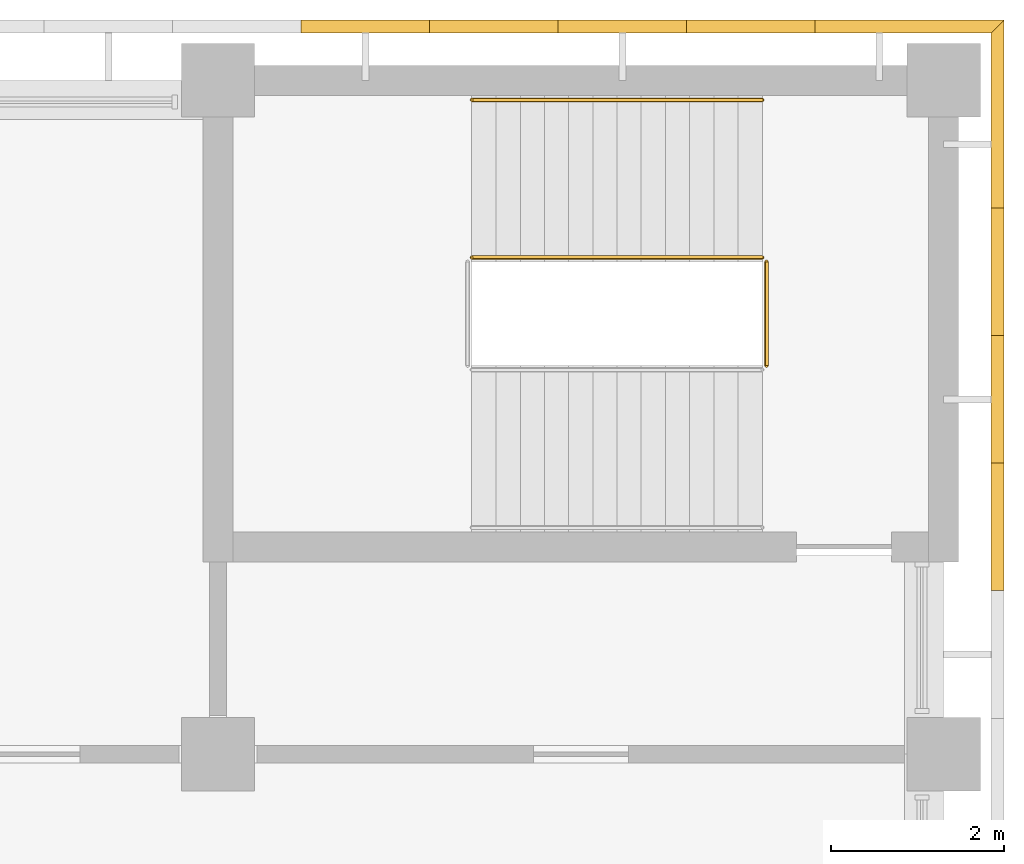
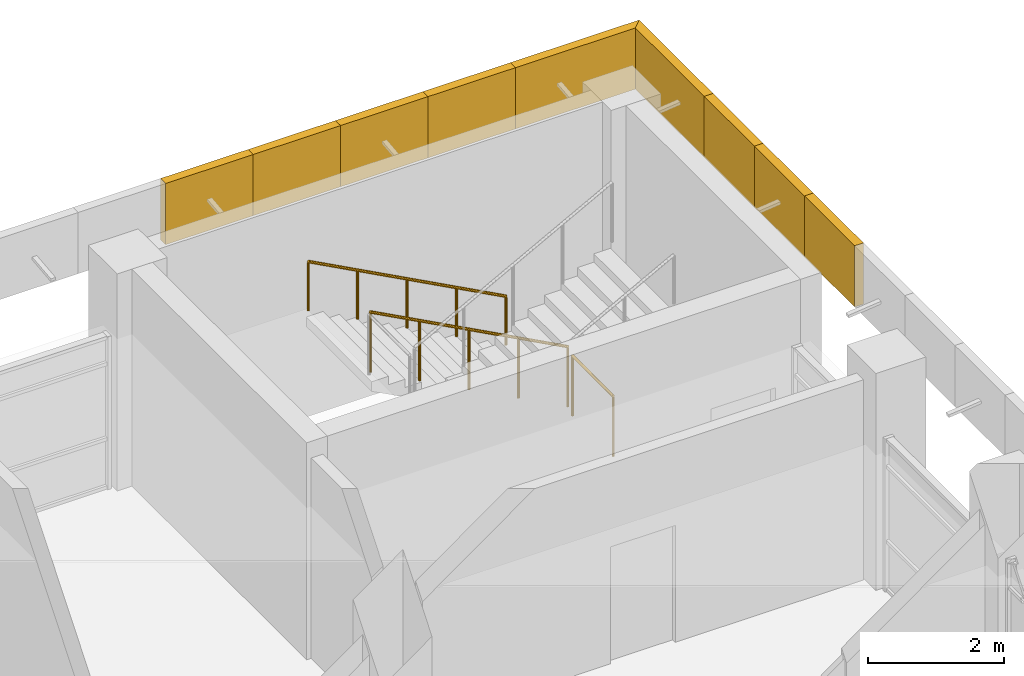
# One storey, part 73 of 74: 9 coverings, 3 railings.
"""IFC4 building model written with IfcOpenShell, lengths in metres."""

from ifc_helpers import new_model, si_unit, direction, frame, origin, origin_2d, place, context, subcontext, project, spatial, polyline, circle, outline, extrude, material, layer, layer_set, type_object, element, save


model = new_model("IFC4")

# Units and contexts
model_context = context("Model", 3, precision=1e-05, world=origin(), true_north=direction((0.0, 1.0)))
body_context = subcontext(model_context, "Body", "Model", "MODEL_VIEW")
ifc_project = project(units=[si_unit("LENGTHUNIT", "METRE"), si_unit("AREAUNIT", "SQUARE_METRE"), si_unit("VOLUMEUNIT", "CUBIC_METRE"), si_unit("PLANEANGLEUNIT", "RADIAN"), si_unit("MASSUNIT", "GRAM", prefix="KILO")], contexts=[model_context])

# Site, building, storey
site_placement = place(None, origin())
site = spatial("IfcSite", under=ifc_project, at=site_placement, CompositionType="ELEMENT")
building_placement = place(site_placement, origin())
building = spatial("IfcBuilding", under=site, at=building_placement, Name="Bougainvillea Quay General Hospital", CompositionType="ELEMENT")
storey_placement = place(building_placement, frame((0.0, 0.0, 21.0)))
storey = spatial("IfcBuildingStorey", under=building, at=storey_placement, Name="L04", CompositionType="ELEMENT", Elevation=21.0)

# Coverings
ifc_material_1 = material(Name="Powder-coated aluminium fascia, white", Category="aluminium")
ifc_layer = layer(ifc_material_1, 0.14990234375)
ifc_layer_set = layer_set([ifc_layer], Name="Powder-coated aluminium fascia, white")
covering_type = type_object("IfcCoveringType", Name="Aluminium fascia band white 150x1100", PredefinedType="CLADDING", material=ifc_layer_set)
covering_1_placement = place(storey_placement, frame((185.35009765625, 160.14990234375, 3.35009765625), z_axis=(0.0, 0.0, 1.0), x_axis=(-1.0, 0.0, 0.0)))
element("IfcCovering", 1, at=covering_1_placement, inside=storey, type_object=covering_type, Name="Fascia band white e0 1", PredefinedType="CLADDING", context=body_context, shape_type="SweptSolid", body=[
    extrude(outline(polyline([(0.0, 0.0), (2.03759765625, 0.0), (2.03759765625, -0.150146484375), (-0.14990234375, -0.150146484375), (0.0, 0.0)])), origin(), (0.0, 0.0, 1.0), 1.10009765625),
])
for number, where, z_axis, x_axis, name in (
    (2, (183.3125, 160.14990234375, 3.35009765625), (0.0, 0.0, 1.0), (-1.0, 0.0, 0.0), "Fascia band white e0 2"),
    (3, (181.824951171875, 160.14990234375, 3.35009765625), (0.0, 0.0, 1.0), (-1.0, 0.0, 0.0), "Fascia band white e0 3"),
):
    element("IfcCovering", number, at=place(storey_placement, frame(where, z_axis=z_axis, x_axis=x_axis)), inside=storey, type_object=covering_type, Name=name, PredefinedType="CLADDING", context=body_context, shape_type="SweptSolid", body=[
        extrude(outline(polyline([(0.0, 0.0), (1.487548828125, 0.0), (1.487548828125, -0.150146484375), (0.0, -0.150146484375), (0.0, 0.0)])), origin(), (0.0, 0.0, 1.0), 1.10009765625),
    ])
covering_2_placement = place(storey_placement, frame((180.33740234375, 160.14990234375, 3.35009765625), z_axis=(0.0, 0.0, 1.0), x_axis=(-1.0, 0.0, 0.0)))
element("IfcCovering", 4, at=covering_2_placement, inside=storey, type_object=covering_type, Name="Fascia band white e0 4", PredefinedType="CLADDING", context=body_context, shape_type="SweptSolid", body=[
    extrude(outline(polyline([(0.0, 0.0), (1.4873046875, 0.0), (1.4873046875, -0.150146484375), (0.0, -0.150146484375), (0.0, 0.0)])), origin(), (0.0, 0.0, 1.0), 1.10009765625),
])
covering_3_placement = place(storey_placement, frame((178.85009765625, 160.14990234375, 3.35009765625), z_axis=(0.0, 0.0, 1.0), x_axis=(-1.0, 0.0, 0.0)))
element("IfcCovering", 5, at=covering_3_placement, inside=storey, type_object=covering_type, Name="Fascia band white e0 5", PredefinedType="CLADDING", context=body_context, shape_type="SweptSolid", body=[
    extrude(outline(polyline([(0.0, 0.0), (1.487548828125, 0.0), (1.487548828125, -0.150146484375), (0.0, -0.150146484375), (0.0, 0.0)])), origin(), (0.0, 0.0, 1.0), 1.10009765625),
])
covering_4_placement = place(storey_placement, frame((185.35009765625, 153.6923828125, 3.35009765625), z_axis=(0.0, 0.0, 1.0), x_axis=(0.0, 1.0, 0.0)))
element("IfcCovering", 6, at=covering_4_placement, inside=storey, type_object=covering_type, Name="Fascia band white e0 232", PredefinedType="CLADDING", context=body_context, shape_type="SweptSolid", body=[
    extrude(outline(polyline([(0.0, 0.0), (1.476806640625, 0.0), (1.476806640625, -0.14990234375), (0.0, -0.14990234375), (0.0, 0.0)])), origin(), (0.0, 0.0, 1.0), 1.10009765625),
])
covering_5_placement = place(storey_placement, frame((185.35009765625, 155.169189453125, 3.35009765625), z_axis=(0.0, 0.0, 1.0), x_axis=(0.0, 1.0, 0.0)))
element("IfcCovering", 7, at=covering_5_placement, inside=storey, type_object=covering_type, Name="Fascia band white e0 233", PredefinedType="CLADDING", context=body_context, shape_type="SweptSolid", body=[
    extrude(outline(polyline([(0.0, 0.0), (1.47705078125, 0.0), (1.47705078125, -0.14990234375), (0.0, -0.14990234375), (0.0, 0.0)])), origin(), (0.0, 0.0, 1.0), 1.10009765625),
])
covering_6_placement = place(storey_placement, frame((185.35009765625, 156.646240234375, 3.35009765625), z_axis=(0.0, 0.0, 1.0), x_axis=(0.0, 1.0, 0.0)))
element("IfcCovering", 8, at=covering_6_placement, inside=storey, type_object=covering_type, Name="Fascia band white e0 234", PredefinedType="CLADDING", context=body_context, shape_type="SweptSolid", body=[
    extrude(outline(polyline([(0.0, 0.0), (1.476806640625, 0.0), (1.476806640625, -0.14990234375), (0.0, -0.14990234375), (0.0, 0.0)])), origin(), (0.0, 0.0, 1.0), 1.10009765625),
])
covering_7_placement = place(storey_placement, frame((185.35009765625, 158.123046875, 3.35009765625), z_axis=(0.0, 0.0, 1.0), x_axis=(0.0, 1.0, 0.0)))
element("IfcCovering", 9, at=covering_7_placement, inside=storey, type_object=covering_type, Name="Fascia band white e0 235", PredefinedType="CLADDING", context=body_context, shape_type="SweptSolid", body=[
    extrude(outline(polyline([(0.0, 0.0), (2.02685546875, 0.0), (2.177001953125, -0.14990234375), (0.0, -0.14990234375), (0.0, 0.0)])), origin(), (0.0, 0.0, 1.0), 1.10009765625),
])

# Railings
ifc_material_2 = material(Name="Stainless steel 304 balustrade", Category="steel")
railing_type_1 = type_object("IfcRailingType", Name="Stair guard 1100", PredefinedType="GUARDRAIL", material=ifc_material_2)
railing_1_placement = place(storey_placement, frame((182.699951171875, 157.550048828125, 0.14990234375)))
element("IfcRailing", 10, at=railing_1_placement, inside=storey, type_object=railing_type_1, Name="L04 ST-A4 stair guard 1", PredefinedType="GUARDRAIL", context=body_context, shape_type="SweptSolid", body=[
    extrude(circle(Radius=0.02392578125, at=origin_2d()), frame((0.0, 0.0, 1.076171875), z_axis=(-0.881466638993, 0.0, 0.472246296272), x_axis=(0.0, -1.0, 0.0)), (0.0, 0.0, 1.0), 3.811767578125),
    extrude(circle(Radius=0.02099609375, at=origin_2d()), origin(), (0.0, 0.0, 1.0), 1.052001953125),
    extrude(circle(Radius=0.02099609375, at=origin_2d()), frame((-0.83984375, 0.0, 0.449951171875)), (0.0, 0.0, 1.0), 1.052001953125),
    extrude(circle(Radius=0.02099609375, at=origin_2d()), frame((-1.679931640625, 0.0, 0.89990234375)), (0.0, 0.0, 1.0), 1.052001953125),
    extrude(circle(Radius=0.02099609375, at=origin_2d()), frame((-2.52001953125, 0.0, 1.35009765625)), (0.0, 0.0, 1.0), 1.052001953125),
    extrude(circle(Radius=0.02099609375, at=origin_2d()), frame((-3.35986328125, 0.0, 1.800048828125)), (0.0, 0.0, 1.0), 1.052001953125),
])
railing_2_placement = place(storey_placement, frame((182.75, 157.5, 0.0)))
element("IfcRailing", 11, at=railing_2_placement, inside=storey, type_object=railing_type_1, Name="L04 ST-A4 stair guard 4", PredefinedType="GUARDRAIL", context=body_context, shape_type="SweptSolid", body=[
    extrude(circle(Radius=0.02392578125, at=origin_2d()), frame((0.0, 0.0, 1.076171875), z_axis=(0.0, -1.0, 0.0), x_axis=(1.0, 0.0, 0.0)), (0.0, 0.0, 1.0), 1.199951171875),
    extrude(circle(Radius=0.02099609375, at=origin_2d()), origin(), (0.0, 0.0, 1.0), 1.052001953125),
    extrude(circle(Radius=0.02099609375, at=origin_2d()), frame((0.0, -1.199951171875, 0.0)), (0.0, 0.0, 1.0), 1.052001953125),
])
ifc_material_3 = material(Name="Stainless steel 304 handrail", Category="steel")
railing_type_2 = type_object("IfcRailingType", Name="Stair handrail 900", PredefinedType="HANDRAIL", material=ifc_material_3)
railing_3_placement = place(storey_placement, frame((182.699951171875, 159.375, 0.14990234375)))
element("IfcRailing", 12, at=railing_3_placement, inside=storey, type_object=railing_type_2, Name="L04 ST-A4 stair handrail 1", PredefinedType="HANDRAIL", context=body_context, shape_type="SweptSolid", body=[
    extrude(circle(Radius=0.02392578125, at=origin_2d()), frame((0.0, 0.0, 0.8759765625), z_axis=(-0.881466638993, 0.0, 0.472246296272), x_axis=(0.0, -1.0, 0.0)), (0.0, 0.0, 1.0), 3.811767578125),
    extrude(circle(Radius=0.02099609375, at=origin_2d()), origin(), (0.0, 0.0, 1.0), 0.851806640625),
    extrude(circle(Radius=0.02099609375, at=origin_2d()), frame((-0.83984375, 0.0, 0.449951171875)), (0.0, 0.0, 1.0), 0.851806640625),
    extrude(circle(Radius=0.02099609375, at=origin_2d()), frame((-1.679931640625, 0.0, 0.89990234375)), (0.0, 0.0, 1.0), 0.851806640625),
    extrude(circle(Radius=0.02099609375, at=origin_2d()), frame((-2.52001953125, 0.0, 1.35009765625)), (0.0, 0.0, 1.0), 0.851806640625),
    extrude(circle(Radius=0.02099609375, at=origin_2d()), frame((-3.35986328125, 0.0, 1.800048828125)), (0.0, 0.0, 1.0), 0.851806640625),
])

save(model, "model.ifc")
